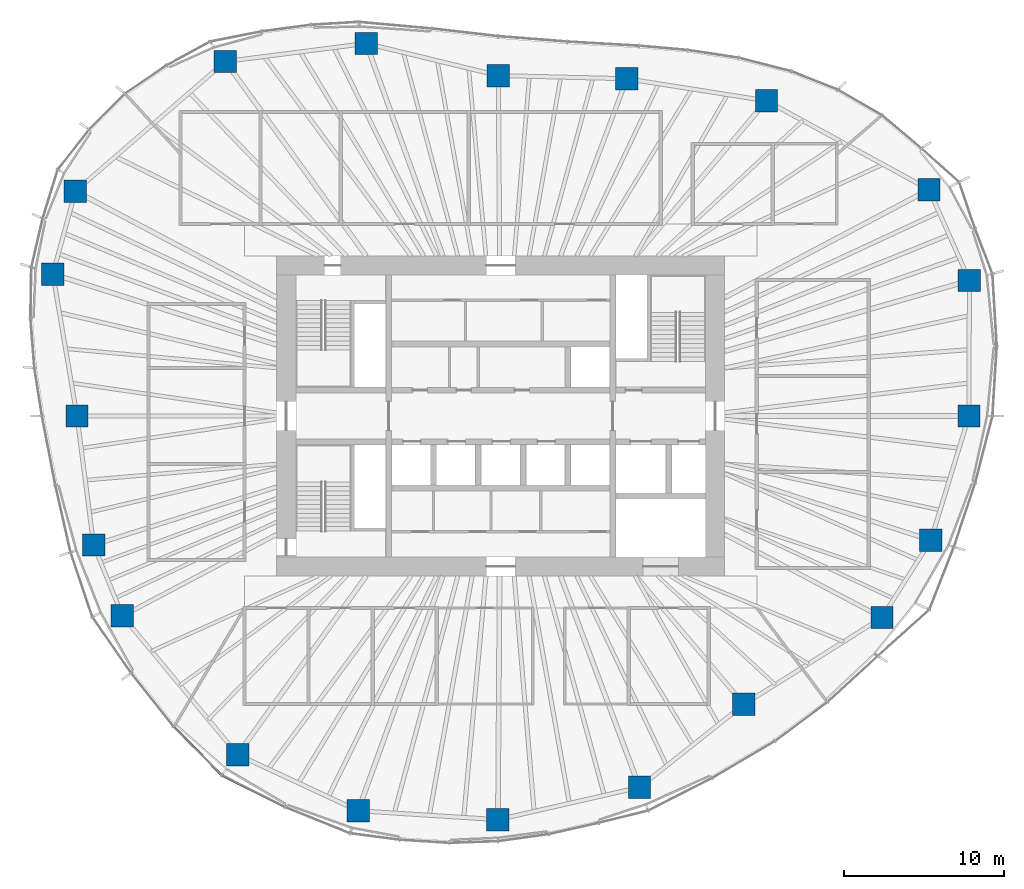
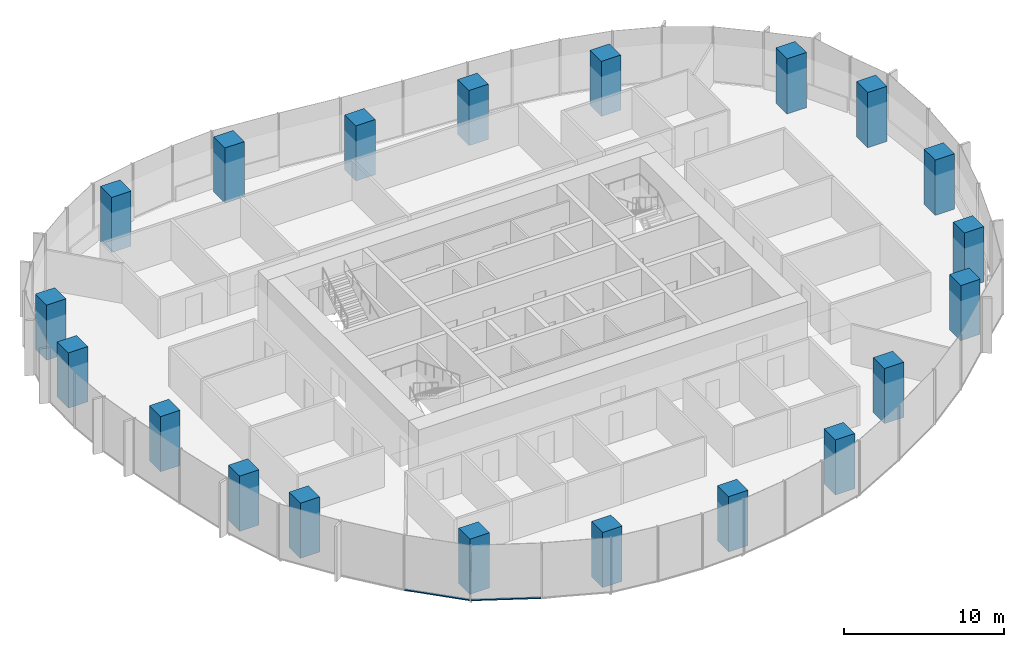
# One storey, part 1 of 18: 20 columns, 2 members, 2 elements without a shape of their own.
"""IFC4 building model written with IfcOpenShell, lengths in metres."""

from ifc_helpers import new_model, si_unit, direction, frame, origin, origin_2d, place, context, subcontext, project, spatial, rectangle, extrude, material, material_profile, profile_set, type_object, element, aggregate, save


model = new_model("IFC4")

# Units and contexts
model_context = context("Model", 3, precision=1e-05, world=origin(), true_north=direction((0.0, 1.0)))
body_context = subcontext(model_context, "Body", "Model", "MODEL_VIEW")
ifc_project = project(units=[si_unit("LENGTHUNIT", "METRE"), si_unit("AREAUNIT", "SQUARE_METRE"), si_unit("VOLUMEUNIT", "CUBIC_METRE"), si_unit("PLANEANGLEUNIT", "RADIAN"), si_unit("MASSUNIT", "GRAM", prefix="KILO")], contexts=[model_context])

# Site, building, storey
site_placement = place(None, origin())
site = spatial("IfcSite", under=ifc_project, at=site_placement, CompositionType="ELEMENT")
building_placement = place(site_placement, origin())
building = spatial("IfcBuilding", under=site, at=building_placement, Name="Ghaith Harvest Tower", CompositionType="ELEMENT")
storey_placement = place(building_placement, frame((0.0, 0.0, 176.39990234375)))
storey = spatial("IfcBuildingStorey", under=building, at=storey_placement, Name="L38", CompositionType="ELEMENT", Elevation=176.39990234375)

# Columns
ifc_material_1 = material(Name="Concrete C60/75", Category="concrete")
ifc_material_profile_1 = material_profile(ifc_material_1, rectangle(XDim=1.39990234375, YDim=1.39990234375, at=origin_2d()), Name="RC1400X1400")
ifc_profile_set_1 = profile_set([ifc_material_profile_1], Name="Concrete C60/75")
column_type = type_object("IfcColumnType", Name="TC4 RC1400X1400", PredefinedType="COLUMN", material=ifc_profile_set_1)
for number, where, z_axis, x_axis, name in (
    (1, (29.259033203125, 0.0, 0.0), (0.0, 0.0, 1.0), (1.0, 0.0, 0.0), "Perimeter column C01"),
    (2, (29.285888671875, 8.464111328125, 0.0), (0.0, 0.0, 1.0), (1.0, 0.0, 0.0), "Perimeter column C02"),
    (3, (26.763916015625, 14.14697265625, 0.0), (0.0, 0.0, 1.0), (1.0, 0.0, 0.0), "Perimeter column C03"),
    (4, (16.60791015625, 19.695068359375, 0.0), (0.0, 0.0, 1.0), (1.0, 0.0, 0.0), "Perimeter column C04"),
    (5, (7.8779296875, 21.072021484375, 0.0), (0.0, 0.0, 1.0), (1.0, 0.0, 0.0), "Perimeter column C05"),
    (6, (-0.14599609375, 21.27099609375, 0.0), (0.0, 0.0, 1.0), (1.0, 0.0, 0.0), "Perimeter column C06"),
    (7, (-8.406982421875, 23.27587890625, 0.0), (0.0, 0.0, 1.0), (1.0, 0.0, 0.0), "Perimeter column C07"),
    (8, (-17.201904296875, 22.14990234375, 0.0), (0.0, 0.0, 1.0), (1.0, 0.0, 0.0), "Perimeter column C08"),
    (9, (-26.572998046875, 14.0458984375, 0.0), (0.0, 0.0, 1.0), (1.0, 0.0, 0.0), "Perimeter column C09"),
    (10, (-27.98291015625, 8.867919921875, 0.0), (0.0, 0.0, 1.0), (1.0, 0.0, 0.0), "Perimeter column C10"),
    (11, (-26.47509765625, 0.0, 0.0), (0.0, 0.0, 1.0), (1.0, 0.0, 0.0), "Perimeter column C11"),
    (12, (-25.43603515625, -8.06103515625, 0.0), (0.0, 0.0, 1.0), (1.0, 0.0, 0.0), "Perimeter column C12"),
    (13, (-23.635009765625, -12.492919921875, 0.0), (0.0, 0.0, 1.0), (1.0, 0.0, 0.0), "Perimeter column C13"),
    (14, (-16.43701171875, -21.1640625, 0.0), (0.0, 0.0, 1.0), (1.0, 0.0, 0.0), "Perimeter column C14"),
    (15, (-8.908935546875, -24.66796875, 0.0), (0.0, 0.0, 1.0), (1.0, 0.0, 0.0), "Perimeter column C15"),
    (16, (-0.173095703125, -25.22412109375, 0.0), (0.0, 0.0, 1.0), (1.0, 0.0, 0.0), "Perimeter column C16"),
    (17, (8.674072265625, -23.202880859375, 0.0), (0.0, 0.0, 1.0), (1.0, 0.0, 0.0), "Perimeter column C17"),
    (18, (15.197998046875, -18.02294921875, 0.0), (0.0, 0.0, 1.0), (1.0, 0.0, 0.0), "Perimeter column C18"),
    (19, (23.825927734375, -12.593994140625, 0.0), (0.0, 0.0, 1.0), (1.0, 0.0, 0.0), "Perimeter column C19"),
    (20, (26.8779296875, -7.76806640625, 0.0), (0.0, 0.0, 1.0), (1.0, 0.0, 0.0), "Perimeter column C20"),
):
    element("IfcColumn", number, at=place(storey_placement, frame(where, z_axis=z_axis, x_axis=x_axis)), inside=storey, type_object=column_type, Name=name, PredefinedType="COLUMN", context=body_context, shape_type="SweptSolid", body=[
        extrude(rectangle(XDim=1.39990234375, YDim=1.39990234375, at=origin_2d()), origin(), (0.0, 0.0, 1.0), 4.2001953125),
    ])

# Curtain wall, member
ifc_material_2 = material(Name="Black anodised aluminium and fritted glass", Category="aluminium")
curtain_wall_type = type_object("IfcCurtainWallType", Name="CW-L CURTAIN WALL", PredefinedType="NOTDEFINED", material=ifc_material_2)
curtain_wall_1_placement = place(storey_placement, origin())
curtain_wall_1 = element("IfcCurtainWall", 21, at=curtain_wall_1_placement, inside=storey, type_object=curtain_wall_type, Name="Curtain wall CW-L bay 13 L38", PredefinedType="NOTDEFINED")
ifc_material_3 = material(Name="Aluminium, black anodised", Category="aluminium")
ifc_material_profile_2 = material_profile(ifc_material_3, rectangle(XDim=0.14990234375, YDim=0.080078125, at=origin_2d()), Name="CW-L TRANSOM 150x80")
ifc_profile_set_2 = profile_set([ifc_material_profile_2], Name="Aluminium, black anodised")
member_type = type_object("IfcMemberType", Name="CW-L TRANSOM 150x80", PredefinedType="USERDEFINED", material=ifc_profile_set_2)
member_1_placement = place(storey_placement, frame((-20.4130859375, -19.425048828125, 0.0400390625), z_axis=(0.702854410476, -0.711333731574, 0.0), x_axis=(0.711333731574, 0.702854410476, 0.0)))
member_1 = element("IfcMember", 22, at=member_1_placement, type_object=member_type, Name="CW-L transom 2 bay 13 L38", ObjectType="TRANSOM", PredefinedType="USERDEFINED", context=body_context, shape_type="SweptSolid", body=[
    extrude(rectangle(XDim=0.14990234375, YDim=0.080078125, at=origin_2d()), origin(), (0.0, 0.0, 1.0), 4.20361328125),
])
aggregate(curtain_wall_1, [member_1])

curtain_wall_2_placement = place(storey_placement, origin())
curtain_wall_2 = element("IfcCurtainWall", 23, at=curtain_wall_2_placement, inside=storey, type_object=curtain_wall_type, Name="Curtain wall CW-L bay 14 L38", PredefinedType="NOTDEFINED")
member_2_placement = place(storey_placement, frame((-17.394775390625, -22.461669921875, 0.0400390625), z_axis=(0.893057524502, -0.449942505138, 0.0), x_axis=(0.449942505138, 0.893057524502, 0.0)))
member_2 = element("IfcMember", 24, at=member_2_placement, type_object=member_type, Name="CW-L transom 1 bay 14 L38", ObjectType="TRANSOM", PredefinedType="USERDEFINED", context=body_context, shape_type="SweptSolid", body=[
    extrude(rectangle(XDim=0.14990234375, YDim=0.080078125, at=origin_2d()), origin(), (0.0, 0.0, 1.0), 4.362548828125),
])
aggregate(curtain_wall_2, [member_2])

save(model, "model.ifc")
